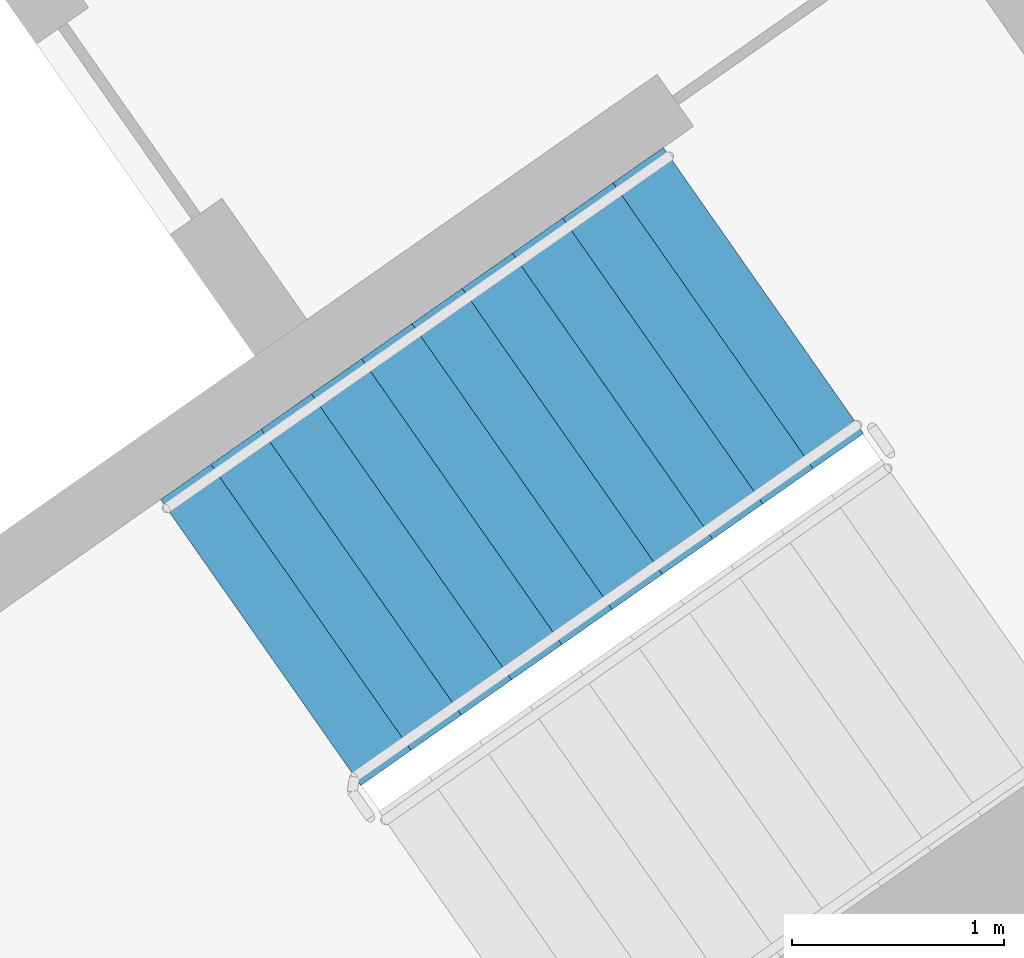
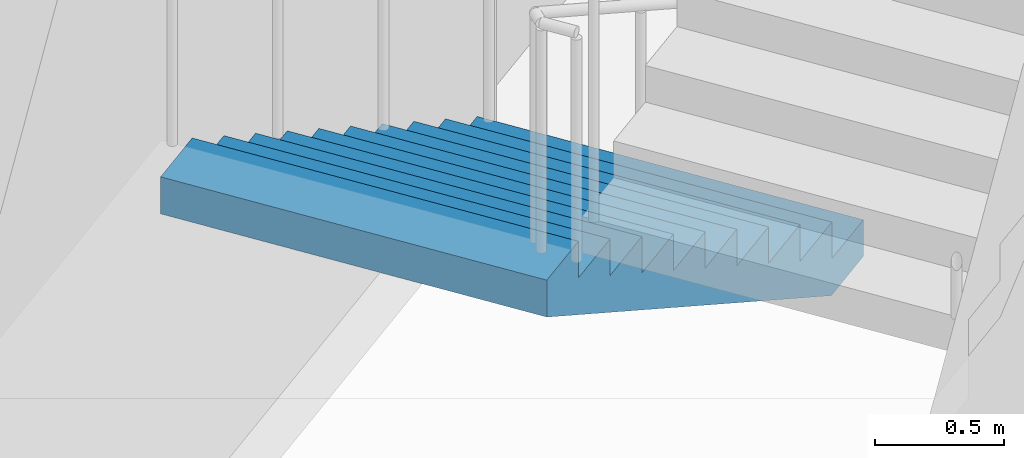
# One storey, part 14 of 27: 1 stair flight, 1 element without a shape of its own.
"""IFC4 building model written with IfcOpenShell, lengths in metres."""

import ifcopenshell
import ifcopenshell.guid

model = None  # the IFC model being written
_history = None  # IfcOwnerHistory: only IFC2X3 demands one
_inside = {}  # id of a spatial element -> (the spatial element, [elements in it])
_under = {}  # id of a project, library or spatial element -> (it, [spatial elements below it])
_declared = {}  # id of a project -> (the project, [libraries it declares])
_typed = {}  # id of a type object -> (the type object, [elements of that type])
_made_of = {}  # id of a material, layer set ... -> (it, [elements and type objects made of it])


def new_model(schema):
    """Start an empty IFC model of exactly this schema.

    Asked for "IFC4X3", IfcOpenShell would pick the latest addendum, in which some entities
    have other attributes; the version numbers below select the first issue.
    IFC2X3 requires an IfcOwnerHistory on every rooted entity: one is made here for all.
    """
    global model, _history
    if schema == "IFC4X3":
        model = ifcopenshell.file(schema_version=(4, 3, 0, 0))
    else:
        model = ifcopenshell.file(schema=schema)
    _inside.clear()
    _under.clear()
    _declared.clear()
    _typed.clear()
    _made_of.clear()
    _history = None
    if model.schema == "IFC2X3":
        org = make("IfcOrganization", Name="unknown")
        user = make(
            "IfcPersonAndOrganization",
            ThePerson=make("IfcPerson", FamilyName="unknown"),
            TheOrganization=org,
        )
        app = make(
            "IfcApplication",
            ApplicationDeveloper=org,
            Version="unknown",
            ApplicationFullName="unknown",
            ApplicationIdentifier="unknown",
        )
        _history = make(
            "IfcOwnerHistory",
            OwningUser=user,
            OwningApplication=app,
            ChangeAction="ADDED",
            CreationDate=0,
        )
    return model


def make(cls, **values):
    """One entity of the class cls with the attributes given. An attribute that is None is left unset."""
    return model.create_entity(
        cls, **{name: value for name, value in values.items() if value is not None}
    )


def rooted(cls, **values):
    """An entity with a GlobalId (a new one), such as an element, a storey or a relation."""
    return make(cls, GlobalId=ifcopenshell.guid.new(), OwnerHistory=_history, **values)


def si_unit(unit_type, name, prefix=None):
    """IfcSIUnit, for example si_unit("LENGTHUNIT", "METRE", prefix="MILLI")."""
    return make("IfcSIUnit", UnitType=unit_type, Prefix=prefix, Name=name)


def assignment(units):
    """IfcUnitAssignment: the units of a project."""
    return None if units is None else make("IfcUnitAssignment", Units=units)


def point(xyz):
    """IfcCartesianPoint."""
    return None if xyz is None else make("IfcCartesianPoint", Coordinates=xyz)


def direction(xyz):
    """IfcDirection."""
    return None if xyz is None else make("IfcDirection", DirectionRatios=xyz)


def frame(location, z_axis=None, x_axis=None):
    """IfcAxis2Placement3D, a coordinate frame: its origin and axes. An axis left out is left unset."""
    return make(
        "IfcAxis2Placement3D",
        Location=point(location),
        Axis=direction(z_axis),
        RefDirection=direction(x_axis),
    )


def origin():
    """The frame at (0, 0, 0) with its axes left unset."""
    return frame((0.0, 0.0, 0.0))


def place(relative_to, where):
    """IfcLocalPlacement: puts the frame where relative to a parent placement (None: the world)."""
    return make(
        "IfcLocalPlacement", PlacementRelTo=relative_to, RelativePlacement=where
    )


def context(
    kind, dimensions, precision=None, world=None, true_north=None, identifier=None
):
    """IfcGeometricRepresentationContext, for example the 3D "Model" context."""
    return make(
        "IfcGeometricRepresentationContext",
        ContextIdentifier=identifier,
        ContextType=kind,
        CoordinateSpaceDimension=dimensions,
        Precision=precision,
        WorldCoordinateSystem=world,
        TrueNorth=true_north,
    )


def subcontext(parent, identifier, kind, view, scale=None):
    """IfcGeometricRepresentationSubContext, for example "Body" below "Model"."""
    return make(
        "IfcGeometricRepresentationSubContext",
        ContextIdentifier=identifier,
        ContextType=kind,
        ParentContext=parent,
        TargetScale=scale,
        TargetView=view,
    )


def project(units=None, contexts=None):
    """IfcProject with its units and contexts."""
    return rooted(
        "IfcProject",
        Name="project",
        RepresentationContexts=contexts,
        UnitsInContext=assignment(units),
    )


def spatial(cls, under=None, at=None, **own):
    """A site, building, storey or space (cls), placed at a placement, below another one or the project."""
    s = rooted(cls, ObjectPlacement=at, **own)
    if under is not None:
        _under.setdefault(under.id(), (under, []))[1].append(s)
    return s


def faces_of(points, faces, orient=None, outer=None):
    """IfcFace entities. A face is a list of loops; a loop is a list of indices into points, from 0.

    orient and outer hold one flag for each loop. By default every Orientation is true, the
    first loop of a face is its IfcFaceOuterBound and the others are IfcFaceBound.
    """
    made = []
    for i, loops in enumerate(faces):
        bounds = []
        for j, loop in enumerate(loops):
            is_outer = j == 0 if outer is None else outer[i][j]
            bounds.append(
                make(
                    "IfcFaceOuterBound" if is_outer else "IfcFaceBound",
                    Bound=make("IfcPolyLoop", Polygon=[points[k] for k in loop]),
                    Orientation=True if orient is None else orient[i][j],
                )
            )
        made.append(make("IfcFace", Bounds=bounds))
    return made


def faceted_brep(points, faces, orient=None, outer=None, voids=None):
    """IfcFacetedBrep: a solid bounded by flat faces; with voids (closed shells), ...WithVoids."""
    shared = [point(p) for p in points]
    hull = make("IfcClosedShell", CfsFaces=faces_of(shared, faces, orient, outer))
    if voids is None:
        return make("IfcFacetedBrep", Outer=hull)
    return make(
        "IfcFacetedBrepWithVoids",
        Outer=hull,
        Voids=[
            make(cls, CfsFaces=faces_of(shared, fs, o, b)) for cls, fs, o, b in voids
        ],
    )


def shape(context_of_items, identifier, shape_type, items):
    """IfcShapeRepresentation: the items that make up one representation, for example the "Body"."""
    return make(
        "IfcShapeRepresentation",
        ContextOfItems=context_of_items,
        RepresentationIdentifier=identifier,
        RepresentationType=shape_type,
        Items=items,
    )


def material(Name=None, Category=None):
    """IfcMaterial."""
    return make("IfcMaterial", Name=Name, Category=Category)


def made_of(thing, what):
    """Note that an element or type object is made of a material, layer set ...; save() writes the relation."""
    if what is not None:
        _made_of.setdefault(what.id(), (what, []))[1].append(thing)
    return thing


def type_object(cls, material=None, **own):
    """A type object (cls), such as IfcWallType, which elements share."""
    return made_of(rooted(cls, **own), material)


def element(
    cls,
    number,
    at=None,
    inside=None,
    cuts=None,
    type_object=None,
    material=None,
    context=None,
    identifier="Body",
    shape_type=None,
    held_by="IfcProductDefinitionShape",
    body=None,
    shapes=None,
    **own,
):
    """One element of the class cls, such as IfcWall. Its Tag is "e" and its number.

    at: its placement. inside: the storey or other place that contains it. cuts: it is an
    opening in that element (IfcRelVoidsElement). A single representation is given by context,
    identifier, shape_type and body (its items); several are given by shapes. held_by: the class
    of the entity that holds the representations. save() writes the other relations.
    """
    e = rooted(cls, Tag="e%d" % number, ObjectPlacement=at, **own)
    if body is not None:
        shapes = [shape(context, identifier, shape_type, body)]
    if shapes is not None:
        e.Representation = make(held_by, Representations=shapes)
    if inside is not None:
        _inside.setdefault(inside.id(), (inside, []))[1].append(e)
    if cuts is not None:
        rooted(
            "IfcRelVoidsElement", RelatingBuildingElement=cuts, RelatedOpeningElement=e
        )
    if type_object is not None:
        _typed.setdefault(type_object.id(), (type_object, []))[1].append(e)
    return made_of(e, material)


def aggregate(whole, parts):
    """IfcRelAggregates: a whole, such as a stair, and the parts it consists of."""
    return rooted("IfcRelAggregates", RelatingObject=whole, RelatedObjects=parts)


def save(model, path):
    """Write the relations noted so far, then the file.

    IfcRelAggregates (storeys below a building ...), IfcRelContainedInSpatialStructure (elements
    in a storey), IfcRelDefinesByType, IfcRelAssociatesMaterial and IfcRelDeclares: one each for
    every whole, place, type object, material and project.
    """
    for whole, parts in _under.values():
        aggregate(whole, parts)
    for where, things in _inside.values():
        rooted(
            "IfcRelContainedInSpatialStructure",
            RelatedElements=things,
            RelatingStructure=where,
        )
    for kind, things in _typed.values():
        rooted("IfcRelDefinesByType", RelatedObjects=things, RelatingType=kind)
    for what, things in _made_of.values():
        rooted("IfcRelAssociatesMaterial", RelatedObjects=things, RelatingMaterial=what)
    for by, libraries in _declared.values():
        rooted("IfcRelDeclares", RelatingContext=by, RelatedDefinitions=libraries)
    model.write(path)


model = new_model("IFC4")

# Units and contexts
model_context = context("Model", 3, precision=1e-05, world=origin(), true_north=direction((0.0, 1.0)))
body_context = subcontext(model_context, "Body", "Model", "MODEL_VIEW")
ifc_project = project(units=[si_unit("LENGTHUNIT", "METRE"), si_unit("AREAUNIT", "SQUARE_METRE"), si_unit("VOLUMEUNIT", "CUBIC_METRE"), si_unit("PLANEANGLEUNIT", "RADIAN"), si_unit("MASSUNIT", "GRAM", prefix="KILO")], contexts=[model_context])

# Site, building, storey
site_placement = place(None, origin())
site = spatial("IfcSite", under=ifc_project, at=site_placement, CompositionType="ELEMENT")
building_placement = place(site_placement, origin())
building = spatial("IfcBuilding", under=site, at=building_placement, Name="Qamariyya Broadcast Tower", CompositionType="ELEMENT")
storey_placement = place(building_placement, frame((0.0, 0.0, 237.89990234375)))
storey = spatial("IfcBuildingStorey", under=building, at=storey_placement, Name="L57", CompositionType="ELEMENT", Elevation=237.89990234375)

# Stair, stair flight
ifc_material = material(Name="Concrete C50/60", Category="concrete")
stair_type = type_object("IfcStairType", Name="Exit stair 22 risers of 173 mm", PredefinedType="HALF_TURN_STAIR", material=ifc_material)
stair_placement = place(storey_placement, origin())
stair = element("IfcStair", 1, at=stair_placement, inside=storey, type_object=stair_type, Name="L57 Stair E1", PredefinedType="HALF_TURN_STAIR")
stair_flight_type = type_object("IfcStairFlightType", Name="Exit stair flight 11 risers of 173 mm", PredefinedType="STRAIGHT", material=ifc_material)
stair_flight_placement = place(storey_placement, frame((46.036376953125, -55.508056640625, 0.0), z_axis=(0.0, 0.0, 1.0), x_axis=(-0.819152044289, -0.573576436351, 0.0)))
stair_flight = element("IfcStairFlight", 2, at=stair_flight_placement, type_object=stair_flight_type, Name="ST-E1 flight 1", NumberOfRisers=11, NumberOfTreads=10, PredefinedType="STRAIGHT", RiserHeight=0.172727273, TreadLength=0.29, context=body_context, shape_type="Brep", body=[
    faceted_brep([(0.0, 0.824951171875, 0.0), (0.0, 0.824951171875, 0.172607421875), (0.2900390625, 0.824951171875, 0.172607421875), (0.2900390625, 0.824951171875, 0.345458984375), (0.580078125, 0.824951171875, 0.345458984375), (0.580078125, 0.824951171875, 0.51806640625), (0.8701171875, 0.824951171875, 0.51806640625), (0.8701171875, 0.824951171875, 0.69091796875), (1.159912109375, 0.824951171875, 0.69091796875), (1.159912109375, 0.824951171875, 0.863525390625), (1.449951171875, 0.824951171875, 0.863525390625), (1.449951171875, 0.824951171875, 1.036376953125), (1.739990234375, 0.824951171875, 1.036376953125), (1.739990234375, 0.824951171875, 1.208984375), (2.030029296875, 0.824951171875, 1.208984375), (2.030029296875, 0.824951171875, 1.3818359375), (2.320068359375, 0.824951171875, 1.3818359375), (2.320068359375, 0.824951171875, 1.554443359375), (2.610107421875, 0.824951171875, 1.554443359375), (2.610107421875, 0.824951171875, 1.727294921875), (2.89990234375, 0.824951171875, 1.727294921875), (2.89990234375, 0.824951171875, 1.552734375), (0.29296875, 0.824951171875, 0.0), (0.29296875, -0.824951171875, 0.0), (2.89990234375, -0.824951171875, 1.552734375), (2.89990234375, -0.824951171875, 1.727294921875), (2.610107421875, -0.824951171875, 1.727294921875), (2.610107421875, -0.824951171875, 1.554443359375), (2.320068359375, -0.824951171875, 1.554443359375), (2.320068359375, -0.824951171875, 1.3818359375), (2.030029296875, -0.824951171875, 1.3818359375), (2.030029296875, -0.824951171875, 1.208984375), (1.739990234375, -0.824951171875, 1.208984375), (1.739990234375, -0.824951171875, 1.036376953125), (1.449951171875, -0.824951171875, 1.036376953125), (1.449951171875, -0.824951171875, 0.863525390625), (1.159912109375, -0.824951171875, 0.863525390625), (1.159912109375, -0.824951171875, 0.69091796875), (0.8701171875, -0.824951171875, 0.69091796875), (0.8701171875, -0.824951171875, 0.51806640625), (0.580078125, -0.824951171875, 0.51806640625), (0.580078125, -0.824951171875, 0.345458984375), (0.2900390625, -0.824951171875, 0.345458984375), (0.2900390625, -0.824951171875, 0.172607421875), (0.0, -0.824951171875, 0.172607421875), (0.0, -0.824951171875, 0.0), (0.0, 0.10009765625, 0.0), (0.0, 0.086669921875, 0.0), (0.0, 0.0732421875, 0.0), (0.0, 0.06005859375, 0.0), (0.0, 0.046630859375, 0.0), (0.0, 0.033447265625, 0.0), (0.0, 0.02001953125, 0.0), (0.0, 0.006591796875, 0.0), (0.0, -0.006591796875, 0.0), (0.0, -0.02001953125, 0.0), (0.0, -0.033447265625, 0.0), (0.0, -0.046630859375, 0.0), (0.0, -0.06005859375, 0.0), (0.0, -0.0732421875, 0.0), (0.0, -0.086669921875, 0.0), (0.0, -0.10009765625, 0.0), (0.0, -0.10009765625, 0.172607421875), (0.0, -0.086669921875, 0.172607421875), (0.0, -0.0732421875, 0.172607421875), (0.0, -0.06005859375, 0.172607421875), (0.0, -0.046630859375, 0.172607421875), (0.0, -0.033447265625, 0.172607421875), (0.0, -0.02001953125, 0.172607421875), (0.0, -0.006591796875, 0.172607421875), (0.0, 0.006591796875, 0.172607421875), (0.0, 0.02001953125, 0.172607421875), (0.0, 0.033447265625, 0.172607421875), (0.0, 0.046630859375, 0.172607421875), (0.0, 0.06005859375, 0.172607421875), (0.0, 0.0732421875, 0.172607421875), (0.0, 0.086669921875, 0.172607421875), (0.0, 0.10009765625, 0.172607421875), (0.2900390625, -0.10009765625, 0.172607421875), (0.2900390625, -0.086669921875, 0.172607421875), (0.2900390625, -0.0732421875, 0.172607421875), (0.2900390625, -0.06005859375, 0.172607421875), (0.2900390625, -0.046630859375, 0.172607421875), (0.2900390625, -0.033447265625, 0.172607421875), (0.2900390625, -0.02001953125, 0.172607421875), (0.2900390625, -0.006591796875, 0.172607421875), (0.2900390625, 0.006591796875, 0.172607421875), (0.2900390625, 0.02001953125, 0.172607421875), (0.2900390625, 0.033447265625, 0.172607421875), (0.2900390625, 0.046630859375, 0.172607421875), (0.2900390625, 0.06005859375, 0.172607421875), (0.2900390625, 0.0732421875, 0.172607421875), (0.2900390625, 0.086669921875, 0.172607421875), (0.2900390625, 0.10009765625, 0.172607421875), (0.2900390625, -0.10009765625, 0.345458984375), (0.2900390625, -0.086669921875, 0.345458984375), (0.2900390625, -0.0732421875, 0.345458984375), (0.2900390625, -0.06005859375, 0.345458984375), (0.2900390625, -0.046630859375, 0.345458984375), (0.2900390625, -0.033447265625, 0.345458984375), (0.2900390625, -0.02001953125, 0.345458984375), (0.2900390625, -0.006591796875, 0.345458984375), (0.2900390625, 0.006591796875, 0.345458984375), (0.2900390625, 0.02001953125, 0.345458984375), (0.2900390625, 0.033447265625, 0.345458984375), (0.2900390625, 0.046630859375, 0.345458984375), (0.2900390625, 0.06005859375, 0.345458984375), (0.2900390625, 0.0732421875, 0.345458984375), (0.2900390625, 0.086669921875, 0.345458984375), (0.2900390625, 0.10009765625, 0.345458984375), (0.580078125, -0.10009765625, 0.345458984375), (0.580078125, -0.086669921875, 0.345458984375), (0.580078125, -0.0732421875, 0.345458984375), (0.580078125, -0.06005859375, 0.345458984375), (0.580078125, -0.046630859375, 0.345458984375), (0.580078125, -0.033447265625, 0.345458984375), (0.580078125, -0.02001953125, 0.345458984375), (0.580078125, -0.006591796875, 0.345458984375), (0.580078125, 0.006591796875, 0.345458984375), (0.580078125, 0.02001953125, 0.345458984375), (0.580078125, 0.033447265625, 0.345458984375), (0.580078125, 0.046630859375, 0.345458984375), (0.580078125, 0.06005859375, 0.345458984375), (0.580078125, 0.0732421875, 0.345458984375), (0.580078125, 0.086669921875, 0.345458984375), (0.580078125, 0.10009765625, 0.345458984375), (0.580078125, -0.10009765625, 0.51806640625), (0.580078125, -0.086669921875, 0.51806640625), (0.580078125, -0.0732421875, 0.51806640625), (0.580078125, -0.06005859375, 0.51806640625), (0.580078125, -0.046630859375, 0.51806640625), (0.580078125, -0.033447265625, 0.51806640625), (0.580078125, -0.02001953125, 0.51806640625), (0.580078125, -0.006591796875, 0.51806640625), (0.580078125, 0.006591796875, 0.51806640625), (0.580078125, 0.02001953125, 0.51806640625), (0.580078125, 0.033447265625, 0.51806640625), (0.580078125, 0.046630859375, 0.51806640625), (0.580078125, 0.06005859375, 0.51806640625), (0.580078125, 0.0732421875, 0.51806640625), (0.580078125, 0.086669921875, 0.51806640625), (0.580078125, 0.10009765625, 0.51806640625), (0.8701171875, -0.10009765625, 0.51806640625), (0.8701171875, -0.086669921875, 0.51806640625), (0.8701171875, -0.0732421875, 0.51806640625), (0.8701171875, -0.06005859375, 0.51806640625), (0.8701171875, -0.046630859375, 0.51806640625), (0.8701171875, -0.033447265625, 0.51806640625), (0.8701171875, -0.02001953125, 0.51806640625), (0.8701171875, -0.006591796875, 0.51806640625), (0.8701171875, 0.006591796875, 0.51806640625), (0.8701171875, 0.02001953125, 0.51806640625), (0.8701171875, 0.033447265625, 0.51806640625), (0.8701171875, 0.046630859375, 0.51806640625), (0.8701171875, 0.06005859375, 0.51806640625), (0.8701171875, 0.0732421875, 0.51806640625), (0.8701171875, 0.086669921875, 0.51806640625), (0.8701171875, 0.10009765625, 0.51806640625), (0.8701171875, -0.10009765625, 0.69091796875), (0.8701171875, -0.086669921875, 0.69091796875), (0.8701171875, -0.0732421875, 0.69091796875), (0.8701171875, -0.06005859375, 0.69091796875), (0.8701171875, -0.046630859375, 0.69091796875), (0.8701171875, -0.033447265625, 0.69091796875), (0.8701171875, -0.02001953125, 0.69091796875), (0.8701171875, -0.006591796875, 0.69091796875), (0.8701171875, 0.006591796875, 0.69091796875), (0.8701171875, 0.02001953125, 0.69091796875), (0.8701171875, 0.033447265625, 0.69091796875), (0.8701171875, 0.046630859375, 0.69091796875), (0.8701171875, 0.06005859375, 0.69091796875), (0.8701171875, 0.0732421875, 0.69091796875), (0.8701171875, 0.086669921875, 0.69091796875), (0.8701171875, 0.10009765625, 0.69091796875), (1.159912109375, -0.10009765625, 0.69091796875), (1.159912109375, -0.086669921875, 0.69091796875), (1.159912109375, -0.0732421875, 0.69091796875), (1.159912109375, -0.06005859375, 0.69091796875), (1.159912109375, -0.046630859375, 0.69091796875), (1.159912109375, -0.033447265625, 0.69091796875), (1.159912109375, -0.02001953125, 0.69091796875), (1.159912109375, -0.006591796875, 0.69091796875), (1.159912109375, 0.006591796875, 0.69091796875), (1.159912109375, 0.02001953125, 0.69091796875), (1.159912109375, 0.033447265625, 0.69091796875), (1.159912109375, 0.046630859375, 0.69091796875), (1.159912109375, 0.06005859375, 0.69091796875), (1.159912109375, 0.0732421875, 0.69091796875), (1.159912109375, 0.086669921875, 0.69091796875), (1.159912109375, 0.10009765625, 0.69091796875), (1.159912109375, -0.10009765625, 0.863525390625), (1.159912109375, -0.086669921875, 0.863525390625), (1.159912109375, -0.0732421875, 0.863525390625), (1.159912109375, -0.06005859375, 0.863525390625), (1.159912109375, -0.046630859375, 0.863525390625), (1.159912109375, -0.033447265625, 0.863525390625), (1.159912109375, -0.02001953125, 0.863525390625), (1.159912109375, -0.006591796875, 0.863525390625), (1.159912109375, 0.006591796875, 0.863525390625), (1.159912109375, 0.02001953125, 0.863525390625), (1.159912109375, 0.033447265625, 0.863525390625), (1.159912109375, 0.046630859375, 0.863525390625), (1.159912109375, 0.06005859375, 0.863525390625), (1.159912109375, 0.0732421875, 0.863525390625), (1.159912109375, 0.086669921875, 0.863525390625), (1.159912109375, 0.10009765625, 0.863525390625), (1.449951171875, -0.10009765625, 0.863525390625), (1.449951171875, -0.086669921875, 0.863525390625), (1.449951171875, -0.0732421875, 0.863525390625), (1.449951171875, -0.06005859375, 0.863525390625), (1.449951171875, -0.046630859375, 0.863525390625), (1.449951171875, -0.033447265625, 0.863525390625), (1.449951171875, -0.02001953125, 0.863525390625), (1.449951171875, -0.006591796875, 0.863525390625), (1.449951171875, 0.006591796875, 0.863525390625), (1.449951171875, 0.02001953125, 0.863525390625), (1.449951171875, 0.033447265625, 0.863525390625), (1.449951171875, 0.046630859375, 0.863525390625), (1.449951171875, 0.06005859375, 0.863525390625), (1.449951171875, 0.0732421875, 0.863525390625), (1.449951171875, 0.086669921875, 0.863525390625), (1.449951171875, 0.10009765625, 0.863525390625), (1.449951171875, -0.10009765625, 1.036376953125), (1.449951171875, -0.086669921875, 1.036376953125), (1.449951171875, -0.0732421875, 1.036376953125), (1.449951171875, -0.06005859375, 1.036376953125), (1.449951171875, -0.046630859375, 1.036376953125), (1.449951171875, -0.033447265625, 1.036376953125), (1.449951171875, -0.02001953125, 1.036376953125), (1.449951171875, -0.006591796875, 1.036376953125), (1.449951171875, 0.006591796875, 1.036376953125), (1.449951171875, 0.02001953125, 1.036376953125), (1.449951171875, 0.033447265625, 1.036376953125), (1.449951171875, 0.046630859375, 1.036376953125), (1.449951171875, 0.06005859375, 1.036376953125), (1.449951171875, 0.0732421875, 1.036376953125), (1.449951171875, 0.086669921875, 1.036376953125), (1.449951171875, 0.10009765625, 1.036376953125), (1.739990234375, -0.10009765625, 1.036376953125), (1.739990234375, -0.086669921875, 1.036376953125), (1.739990234375, -0.0732421875, 1.036376953125), (1.739990234375, -0.06005859375, 1.036376953125), (1.739990234375, -0.046630859375, 1.036376953125), (1.739990234375, -0.033447265625, 1.036376953125), (1.739990234375, -0.02001953125, 1.036376953125), (1.739990234375, -0.006591796875, 1.036376953125), (1.739990234375, 0.006591796875, 1.036376953125), (1.739990234375, 0.02001953125, 1.036376953125), (1.739990234375, 0.033447265625, 1.036376953125), (1.739990234375, 0.046630859375, 1.036376953125), (1.739990234375, 0.06005859375, 1.036376953125), (1.739990234375, 0.0732421875, 1.036376953125), (1.739990234375, 0.086669921875, 1.036376953125), (1.739990234375, 0.10009765625, 1.036376953125), (1.739990234375, -0.10009765625, 1.208984375), (1.739990234375, -0.086669921875, 1.208984375), (1.739990234375, -0.0732421875, 1.208984375), (1.739990234375, -0.06005859375, 1.208984375), (1.739990234375, -0.046630859375, 1.208984375), (1.739990234375, -0.033447265625, 1.208984375), (1.739990234375, -0.02001953125, 1.208984375), (1.739990234375, -0.006591796875, 1.208984375), (1.739990234375, 0.006591796875, 1.208984375), (1.739990234375, 0.02001953125, 1.208984375), (1.739990234375, 0.033447265625, 1.208984375), (1.739990234375, 0.046630859375, 1.208984375), (1.739990234375, 0.06005859375, 1.208984375), (1.739990234375, 0.0732421875, 1.208984375), (1.739990234375, 0.086669921875, 1.208984375), (1.739990234375, 0.10009765625, 1.208984375), (2.030029296875, -0.10009765625, 1.208984375), (2.030029296875, -0.086669921875, 1.208984375), (2.030029296875, -0.0732421875, 1.208984375), (2.030029296875, -0.06005859375, 1.208984375), (2.030029296875, -0.046630859375, 1.208984375), (2.030029296875, -0.033447265625, 1.208984375), (2.030029296875, -0.02001953125, 1.208984375), (2.030029296875, -0.006591796875, 1.208984375), (2.030029296875, 0.006591796875, 1.208984375), (2.030029296875, 0.02001953125, 1.208984375), (2.030029296875, 0.033447265625, 1.208984375), (2.030029296875, 0.046630859375, 1.208984375), (2.030029296875, 0.06005859375, 1.208984375), (2.030029296875, 0.0732421875, 1.208984375), (2.030029296875, 0.086669921875, 1.208984375), (2.030029296875, 0.10009765625, 1.208984375), (2.030029296875, -0.10009765625, 1.3818359375), (2.030029296875, -0.086669921875, 1.3818359375), (2.030029296875, -0.0732421875, 1.3818359375), (2.030029296875, -0.06005859375, 1.3818359375), (2.030029296875, -0.046630859375, 1.3818359375), (2.030029296875, -0.033447265625, 1.3818359375), (2.030029296875, -0.02001953125, 1.3818359375), (2.030029296875, -0.006591796875, 1.3818359375), (2.030029296875, 0.006591796875, 1.3818359375), (2.030029296875, 0.02001953125, 1.3818359375), (2.030029296875, 0.033447265625, 1.3818359375), (2.030029296875, 0.046630859375, 1.3818359375), (2.030029296875, 0.06005859375, 1.3818359375), (2.030029296875, 0.0732421875, 1.3818359375), (2.030029296875, 0.086669921875, 1.3818359375), (2.030029296875, 0.10009765625, 1.3818359375), (2.320068359375, -0.10009765625, 1.3818359375), (2.320068359375, -0.086669921875, 1.3818359375), (2.320068359375, -0.0732421875, 1.3818359375), (2.320068359375, -0.06005859375, 1.3818359375), (2.320068359375, -0.046630859375, 1.3818359375), (2.320068359375, -0.033447265625, 1.3818359375), (2.320068359375, -0.02001953125, 1.3818359375), (2.320068359375, -0.006591796875, 1.3818359375), (2.320068359375, 0.006591796875, 1.3818359375), (2.320068359375, 0.02001953125, 1.3818359375), (2.320068359375, 0.033447265625, 1.3818359375), (2.320068359375, 0.046630859375, 1.3818359375), (2.320068359375, 0.06005859375, 1.3818359375), (2.320068359375, 0.0732421875, 1.3818359375), (2.320068359375, 0.086669921875, 1.3818359375), (2.320068359375, 0.10009765625, 1.3818359375), (2.320068359375, -0.10009765625, 1.554443359375), (2.320068359375, -0.086669921875, 1.554443359375), (2.320068359375, -0.0732421875, 1.554443359375), (2.320068359375, -0.06005859375, 1.554443359375), (2.320068359375, -0.046630859375, 1.554443359375), (2.320068359375, -0.033447265625, 1.554443359375), (2.320068359375, -0.02001953125, 1.554443359375), (2.320068359375, -0.006591796875, 1.554443359375), (2.320068359375, 0.006591796875, 1.554443359375), (2.320068359375, 0.02001953125, 1.554443359375), (2.320068359375, 0.033447265625, 1.554443359375), (2.320068359375, 0.046630859375, 1.554443359375), (2.320068359375, 0.06005859375, 1.554443359375), (2.320068359375, 0.0732421875, 1.554443359375), (2.320068359375, 0.086669921875, 1.554443359375), (2.320068359375, 0.10009765625, 1.554443359375), (2.610107421875, -0.10009765625, 1.554443359375), (2.610107421875, -0.086669921875, 1.554443359375), (2.610107421875, -0.0732421875, 1.554443359375), (2.610107421875, -0.06005859375, 1.554443359375), (2.610107421875, -0.046630859375, 1.554443359375), (2.610107421875, -0.033447265625, 1.554443359375), (2.610107421875, -0.02001953125, 1.554443359375), (2.610107421875, -0.006591796875, 1.554443359375), (2.610107421875, 0.006591796875, 1.554443359375), (2.610107421875, 0.02001953125, 1.554443359375), (2.610107421875, 0.033447265625, 1.554443359375), (2.610107421875, 0.046630859375, 1.554443359375), (2.610107421875, 0.06005859375, 1.554443359375), (2.610107421875, 0.0732421875, 1.554443359375), (2.610107421875, 0.086669921875, 1.554443359375), (2.610107421875, 0.10009765625, 1.554443359375), (2.610107421875, -0.10009765625, 1.727294921875), (2.610107421875, -0.086669921875, 1.727294921875), (2.610107421875, -0.0732421875, 1.727294921875), (2.610107421875, -0.06005859375, 1.727294921875), (2.610107421875, -0.046630859375, 1.727294921875), (2.610107421875, -0.033447265625, 1.727294921875), (2.610107421875, -0.02001953125, 1.727294921875), (2.610107421875, -0.006591796875, 1.727294921875), (2.610107421875, 0.006591796875, 1.727294921875), (2.610107421875, 0.02001953125, 1.727294921875), (2.610107421875, 0.033447265625, 1.727294921875), (2.610107421875, 0.046630859375, 1.727294921875), (2.610107421875, 0.06005859375, 1.727294921875), (2.610107421875, 0.0732421875, 1.727294921875), (2.610107421875, 0.086669921875, 1.727294921875), (2.610107421875, 0.10009765625, 1.727294921875), (2.89990234375, -0.10009765625, 1.727294921875), (2.89990234375, -0.086669921875, 1.727294921875), (2.89990234375, -0.0732421875, 1.727294921875), (2.89990234375, -0.06005859375, 1.727294921875), (2.89990234375, -0.046630859375, 1.727294921875), (2.89990234375, -0.033447265625, 1.727294921875), (2.89990234375, -0.02001953125, 1.727294921875), (2.89990234375, -0.006591796875, 1.727294921875), (2.89990234375, 0.006591796875, 1.727294921875), (2.89990234375, 0.02001953125, 1.727294921875), (2.89990234375, 0.033447265625, 1.727294921875), (2.89990234375, 0.046630859375, 1.727294921875), (2.89990234375, 0.06005859375, 1.727294921875), (2.89990234375, 0.0732421875, 1.727294921875), (2.89990234375, 0.086669921875, 1.727294921875), (2.89990234375, 0.10009765625, 1.727294921875), (2.89990234375, -0.10009765625, 1.552734375), (2.89990234375, -0.086669921875, 1.552734375), (2.89990234375, -0.0732421875, 1.552734375), (2.89990234375, -0.06005859375, 1.552734375), (2.89990234375, -0.046630859375, 1.552734375), (2.89990234375, -0.033447265625, 1.552734375), (2.89990234375, -0.02001953125, 1.552734375), (2.89990234375, -0.006591796875, 1.552734375), (2.89990234375, 0.006591796875, 1.552734375), (2.89990234375, 0.02001953125, 1.552734375), (2.89990234375, 0.033447265625, 1.552734375), (2.89990234375, 0.046630859375, 1.552734375), (2.89990234375, 0.06005859375, 1.552734375), (2.89990234375, 0.0732421875, 1.552734375), (2.89990234375, 0.086669921875, 1.552734375), (2.89990234375, 0.10009765625, 1.552734375), (0.29296875, -0.10009765625, 0.0), (0.29296875, -0.086669921875, 0.0), (0.29296875, -0.0732421875, 0.0), (0.29296875, -0.06005859375, 0.0), (0.29296875, -0.046630859375, 0.0), (0.29296875, -0.033447265625, 0.0), (0.29296875, -0.02001953125, 0.0), (0.29296875, -0.006591796875, 0.0), (0.29296875, 0.006591796875, 0.0), (0.29296875, 0.02001953125, 0.0), (0.29296875, 0.033447265625, 0.0), (0.29296875, 0.046630859375, 0.0), (0.29296875, 0.06005859375, 0.0), (0.29296875, 0.0732421875, 0.0), (0.29296875, 0.086669921875, 0.0), (0.29296875, 0.10009765625, 0.0)], [[[0, 1, 2, 3, 4, 5, 6, 7, 8, 9, 10, 11, 12, 13, 14, 15, 16, 17, 18, 19, 20, 21, 22]], [[23, 24, 25, 26, 27, 28, 29, 30, 31, 32, 33, 34, 35, 36, 37, 38, 39, 40, 41, 42, 43, 44, 45]], [[0, 46, 47, 48, 49, 50, 51, 52, 53, 54, 55, 56, 57, 58, 59, 60, 61, 45, 44, 62, 63, 64, 65, 66, 67, 68, 69, 70, 71, 72, 73, 74, 75, 76, 77, 1]], [[1, 77, 76, 75, 74, 73, 72, 71, 70, 69, 68, 67, 66, 65, 64, 63, 62, 44, 43, 78, 79, 80, 81, 82, 83, 84, 85, 86, 87, 88, 89, 90, 91, 92, 93, 2]], [[2, 93, 92, 91, 90, 89, 88, 87, 86, 85, 84, 83, 82, 81, 80, 79, 78, 43, 42, 94, 95, 96, 97, 98, 99, 100, 101, 102, 103, 104, 105, 106, 107, 108, 109, 3]], [[3, 109, 108, 107, 106, 105, 104, 103, 102, 101, 100, 99, 98, 97, 96, 95, 94, 42, 41, 110, 111, 112, 113, 114, 115, 116, 117, 118, 119, 120, 121, 122, 123, 124, 125, 4]], [[4, 125, 124, 123, 122, 121, 120, 119, 118, 117, 116, 115, 114, 113, 112, 111, 110, 41, 40, 126, 127, 128, 129, 130, 131, 132, 133, 134, 135, 136, 137, 138, 139, 140, 141, 5]], [[5, 141, 140, 139, 138, 137, 136, 135, 134, 133, 132, 131, 130, 129, 128, 127, 126, 40, 39, 142, 143, 144, 145, 146, 147, 148, 149, 150, 151, 152, 153, 154, 155, 156, 157, 6]], [[6, 157, 156, 155, 154, 153, 152, 151, 150, 149, 148, 147, 146, 145, 144, 143, 142, 39, 38, 158, 159, 160, 161, 162, 163, 164, 165, 166, 167, 168, 169, 170, 171, 172, 173, 7]], [[7, 173, 172, 171, 170, 169, 168, 167, 166, 165, 164, 163, 162, 161, 160, 159, 158, 38, 37, 174, 175, 176, 177, 178, 179, 180, 181, 182, 183, 184, 185, 186, 187, 188, 189, 8]], [[8, 189, 188, 187, 186, 185, 184, 183, 182, 181, 180, 179, 178, 177, 176, 175, 174, 37, 36, 190, 191, 192, 193, 194, 195, 196, 197, 198, 199, 200, 201, 202, 203, 204, 205, 9]], [[9, 205, 204, 203, 202, 201, 200, 199, 198, 197, 196, 195, 194, 193, 192, 191, 190, 36, 35, 206, 207, 208, 209, 210, 211, 212, 213, 214, 215, 216, 217, 218, 219, 220, 221, 10]], [[10, 221, 220, 219, 218, 217, 216, 215, 214, 213, 212, 211, 210, 209, 208, 207, 206, 35, 34, 222, 223, 224, 225, 226, 227, 228, 229, 230, 231, 232, 233, 234, 235, 236, 237, 11]], [[11, 237, 236, 235, 234, 233, 232, 231, 230, 229, 228, 227, 226, 225, 224, 223, 222, 34, 33, 238, 239, 240, 241, 242, 243, 244, 245, 246, 247, 248, 249, 250, 251, 252, 253, 12]], [[12, 253, 252, 251, 250, 249, 248, 247, 246, 245, 244, 243, 242, 241, 240, 239, 238, 33, 32, 254, 255, 256, 257, 258, 259, 260, 261, 262, 263, 264, 265, 266, 267, 268, 269, 13]], [[13, 269, 268, 267, 266, 265, 264, 263, 262, 261, 260, 259, 258, 257, 256, 255, 254, 32, 31, 270, 271, 272, 273, 274, 275, 276, 277, 278, 279, 280, 281, 282, 283, 284, 285, 14]], [[14, 285, 284, 283, 282, 281, 280, 279, 278, 277, 276, 275, 274, 273, 272, 271, 270, 31, 30, 286, 287, 288, 289, 290, 291, 292, 293, 294, 295, 296, 297, 298, 299, 300, 301, 15]], [[15, 301, 300, 299, 298, 297, 296, 295, 294, 293, 292, 291, 290, 289, 288, 287, 286, 30, 29, 302, 303, 304, 305, 306, 307, 308, 309, 310, 311, 312, 313, 314, 315, 316, 317, 16]], [[16, 317, 316, 315, 314, 313, 312, 311, 310, 309, 308, 307, 306, 305, 304, 303, 302, 29, 28, 318, 319, 320, 321, 322, 323, 324, 325, 326, 327, 328, 329, 330, 331, 332, 333, 17]], [[17, 333, 332, 331, 330, 329, 328, 327, 326, 325, 324, 323, 322, 321, 320, 319, 318, 28, 27, 334, 335, 336, 337, 338, 339, 340, 341, 342, 343, 344, 345, 346, 347, 348, 349, 18]], [[18, 349, 348, 347, 346, 345, 344, 343, 342, 341, 340, 339, 338, 337, 336, 335, 334, 27, 26, 350, 351, 352, 353, 354, 355, 356, 357, 358, 359, 360, 361, 362, 363, 364, 365, 19]], [[19, 365, 364, 363, 362, 361, 360, 359, 358, 357, 356, 355, 354, 353, 352, 351, 350, 26, 25, 366, 367, 368, 369, 370, 371, 372, 373, 374, 375, 376, 377, 378, 379, 380, 381, 20]], [[20, 381, 380, 379, 378, 377, 376, 375, 374, 373, 372, 371, 370, 369, 368, 367, 366, 25, 24, 382, 383, 384, 385, 386, 387, 388, 389, 390, 391, 392, 393, 394, 395, 396, 397, 21]], [[21, 397, 396, 395, 394, 393, 392, 391, 390, 389, 388, 387, 386, 385, 384, 383, 382, 24, 23, 398, 399, 400, 401, 402, 403, 404, 405, 406, 407, 408, 409, 410, 411, 412, 413, 22]], [[22, 413, 412, 411, 410, 409, 408, 407, 406, 405, 404, 403, 402, 401, 400, 399, 398, 23, 45, 61, 60, 59, 58, 57, 56, 55, 54, 53, 52, 51, 50, 49, 48, 47, 46, 0]]]),
])
aggregate(stair, [stair_flight])

save(model, "model.ifc")
